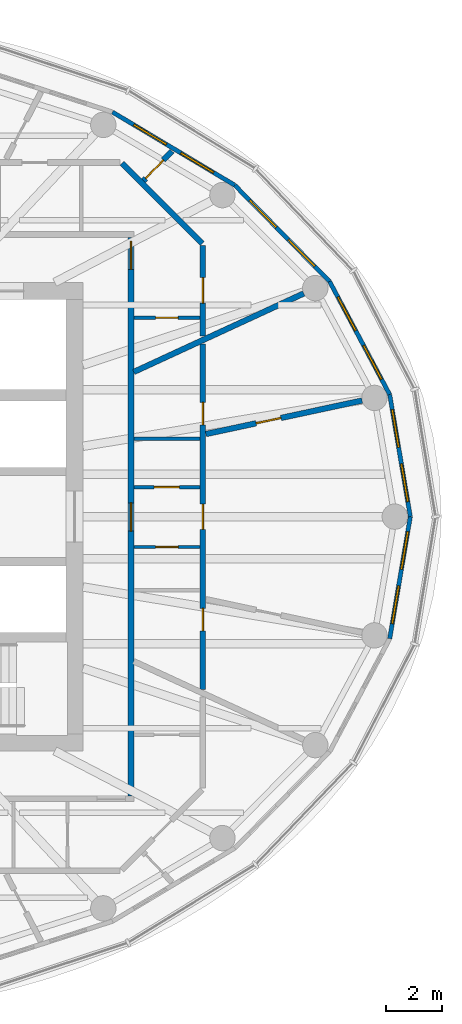
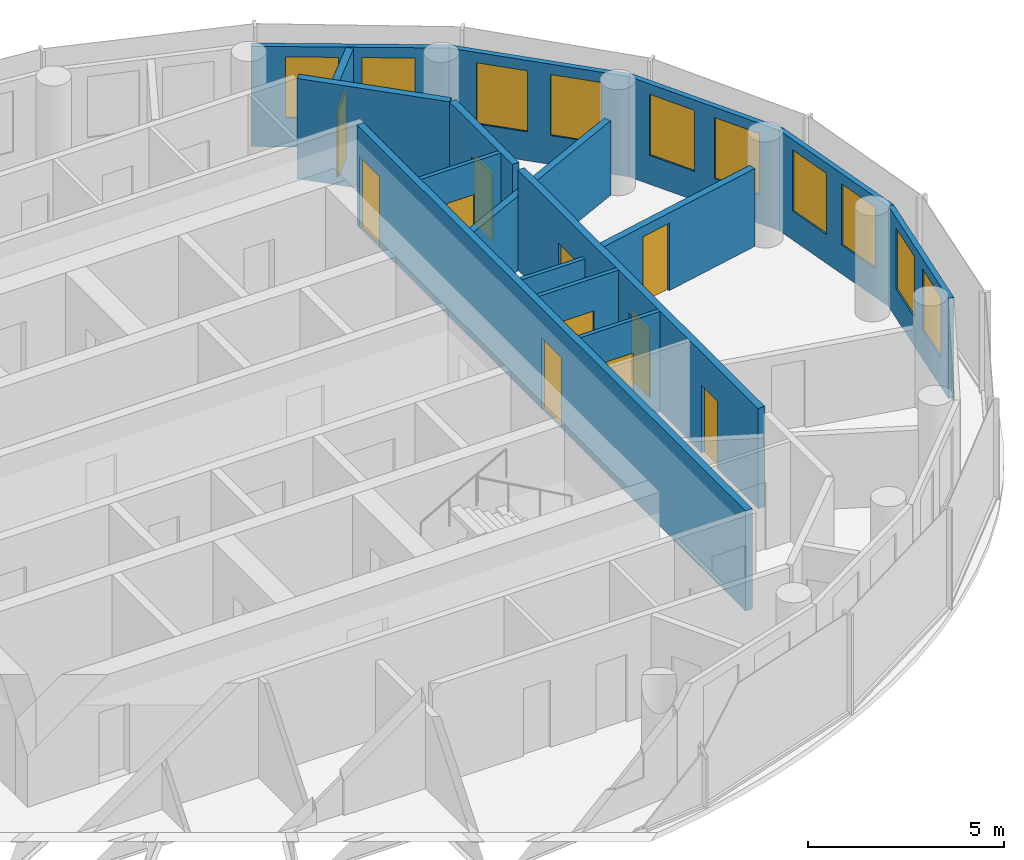
# One storey, part 9 of 11: 16 walls, 11 doors, 10 windows, 21 openings.
"""IFC4 building model written with IfcOpenShell, lengths in metres."""

from ifc_helpers import new_model, si_unit, direction, frame, frame_2d, origin, place, context, subcontext, project, spatial, rectangle, extrude, material, layer, layer_set, type_object, element, fill, save


model = new_model("IFC4")

# Units and contexts
model_context = context("Model", 3, precision=1e-05, world=origin(), true_north=direction((0.0, 1.0)))
body_context = subcontext(model_context, "Body", "Model", "MODEL_VIEW")
ifc_project = project(units=[si_unit("LENGTHUNIT", "METRE"), si_unit("AREAUNIT", "SQUARE_METRE"), si_unit("VOLUMEUNIT", "CUBIC_METRE"), si_unit("PLANEANGLEUNIT", "RADIAN"), si_unit("MASSUNIT", "GRAM", prefix="KILO")], contexts=[model_context])

# Site, building, storey
site_placement = place(None, origin())
site = spatial("IfcSite", under=ifc_project, at=site_placement, CompositionType="ELEMENT")
building_placement = place(site_placement, origin())
building = spatial("IfcBuilding", under=site, at=building_placement, Name="Hankou Lantern Tower", CompositionType="ELEMENT")
storey_placement = place(building_placement, frame((0.0, 0.0, 225.89990234375)))
storey = spatial("IfcBuildingStorey", under=building, at=storey_placement, Name="L61", CompositionType="ELEMENT", Elevation=225.89990234375)

# Wall, openings, windows
ifc_material_1 = material(Name="Aluminium spandrel panel on steel studs", Category="steel")
ifc_layer_1 = layer(ifc_material_1, 0.14990234375)
ifc_layer_set_1 = layer_set([ifc_layer_1], Name="Aluminium spandrel panel on steel studs")
wall_type_1 = type_object("IfcWallType", Name="EW1 INNER SKIN WALL 150", PredefinedType="ELEMENTEDWALL", material=ifc_layer_set_1)
wall_1_placement = place(storey_placement, frame((20.89990234375, 0.0, 0.0), z_axis=(0.0, 0.0, 1.0), x_axis=(-0.166538513568, 0.986034950445, 0.0)))
wall_1 = element("IfcWall", 1, at=wall_1_placement, inside=storey, type_object=wall_type_1, Name="Inner skin R01-R02 L61", PredefinedType="ELEMENTEDWALL", context=body_context, shape_type="SweptSolid", body=[
    extrude(rectangle(XDim=4.384765625, YDim=0.14990234375, at=frame_2d((2.1923828125, 0.0))), origin(), (0.0, 0.0, 1.0), 3.1201171875),
])
opening_1_placement = place(wall_1_placement, frame((0.54248046875, 0.0, 0.89990234375)))
opening_1 = element("IfcOpeningElement", 2, at=opening_1_placement, cuts=wall_1, Name="Opening W4", PredefinedType="OPENING", context=body_context, shape_type="SweptSolid", body=[
    extrude(rectangle(XDim=1.35009765625, YDim=1.89990234375, at=frame_2d((0.675048828125, 0.949951171875))), frame((0.0, 0.0849609375, 0.0), z_axis=(0.0, -1.0, 0.0), x_axis=(1.0, 0.0, 0.0)), (0.0, 0.0, 1.0), 0.169921875),
])
opening_2_placement = place(wall_1_placement, frame((2.492431640625, 0.0, 0.89990234375)))
opening_2 = element("IfcOpeningElement", 3, at=opening_2_placement, cuts=wall_1, Name="Opening W4", PredefinedType="OPENING", context=body_context, shape_type="SweptSolid", body=[
    extrude(rectangle(XDim=1.35009765625, YDim=1.89990234375, at=frame_2d((0.675048828125, 0.949951171875))), frame((0.0, 0.0849609375, 0.0), z_axis=(0.0, -1.0, 0.0), x_axis=(1.0, 0.0, 0.0)), (0.0, 0.0, 1.0), 0.169921875),
])
ifc_material_2 = material(Name="Aluminium framed double glazed window", Category="aluminium")
window_type = type_object("IfcWindowType", Name="W4 SUITE WINDOW 1350X1900", PartitioningType="DOUBLE_PANEL_VERTICAL", PredefinedType="WINDOW", material=ifc_material_2)
window_1_placement = place(opening_1_placement, origin())
window_1 = element("IfcWindow", 4, at=window_1_placement, inside=storey, type_object=window_type, Name="Window R01.1 L61", OverallHeight=1.89990234375, OverallWidth=1.35009765625, PartitioningType="SINGLE_PANEL", PredefinedType="WINDOW", context=body_context, shape_type="SweptSolid", body=[
    extrude(rectangle(XDim=1.35009765625, YDim=1.89990234375, at=frame_2d((0.675048828125, 0.949951171875))), frame((0.0, 0.030029296875, 0.0), z_axis=(0.0, -1.0, 0.0), x_axis=(1.0, 0.0, 0.0)), (0.0, 0.0, 1.0), 0.06005859375),
])
fill(opening_1, window_1)
window_2_placement = place(opening_2_placement, origin())
window_2 = element("IfcWindow", 5, at=window_2_placement, inside=storey, type_object=window_type, Name="Window R01.2 L61", OverallHeight=1.89990234375, OverallWidth=1.35009765625, PartitioningType="SINGLE_PANEL", PredefinedType="WINDOW", context=body_context, shape_type="SweptSolid", body=[
    extrude(rectangle(XDim=1.35009765625, YDim=1.89990234375, at=frame_2d((0.675048828125, 0.949951171875))), frame((0.0, 0.030029296875, 0.0), z_axis=(0.0, -1.0, 0.0), x_axis=(1.0, 0.0, 0.0)), (0.0, 0.0, 1.0), 0.06005859375),
])
fill(opening_2, window_2)

wall_2_placement = place(storey_placement, frame((20.169677734375, 4.323486328125, 0.0), z_axis=(0.0, 0.0, 1.0), x_axis=(-0.469256152955, 0.883062094597, 0.0)))
wall_2 = element("IfcWall", 6, at=wall_2_placement, inside=storey, type_object=wall_type_1, Name="Inner skin R02-R03 L61", PredefinedType="ELEMENTEDWALL", context=body_context, shape_type="SweptSolid", body=[
    extrude(rectangle(XDim=4.539306640625, YDim=0.14990234375, at=frame_2d((2.26953125, 0.0))), origin(), (0.0, 0.0, 1.0), 3.1201171875),
])
opening_3_placement = place(wall_2_placement, frame((0.61962890625, 0.0, 0.89990234375)))
opening_3 = element("IfcOpeningElement", 7, at=opening_3_placement, cuts=wall_2, Name="Opening W4", PredefinedType="OPENING", context=body_context, shape_type="SweptSolid", body=[
    extrude(rectangle(XDim=1.35009765625, YDim=1.89990234375, at=frame_2d((0.675048828125, 0.949951171875))), frame((0.0, 0.0849609375, 0.0), z_axis=(0.0, -1.0, 0.0), x_axis=(1.0, 0.0, 0.0)), (0.0, 0.0, 1.0), 0.169921875),
])
opening_4_placement = place(wall_2_placement, frame((2.569580078125, 0.0, 0.89990234375)))
opening_4 = element("IfcOpeningElement", 8, at=opening_4_placement, cuts=wall_2, Name="Opening W4", PredefinedType="OPENING", context=body_context, shape_type="SweptSolid", body=[
    extrude(rectangle(XDim=1.35009765625, YDim=1.89990234375, at=frame_2d((0.675048828125, 0.949951171875))), frame((0.0, 0.0849609375, 0.0), z_axis=(0.0, -1.0, 0.0), x_axis=(1.0, 0.0, 0.0)), (0.0, 0.0, 1.0), 0.169921875),
])
window_3_placement = place(opening_3_placement, origin())
window_3 = element("IfcWindow", 9, at=window_3_placement, inside=storey, type_object=window_type, Name="Window R02.1 L61", OverallHeight=1.89990234375, OverallWidth=1.35009765625, PartitioningType="SINGLE_PANEL", PredefinedType="WINDOW", context=body_context, shape_type="SweptSolid", body=[
    extrude(rectangle(XDim=1.35009765625, YDim=1.89990234375, at=frame_2d((0.675048828125, 0.949951171875))), frame((0.0, 0.030029296875, 0.0), z_axis=(0.0, -1.0, 0.0), x_axis=(1.0, 0.0, 0.0)), (0.0, 0.0, 1.0), 0.06005859375),
])
fill(opening_3, window_3)
window_4_placement = place(opening_4_placement, origin())
window_4 = element("IfcWindow", 10, at=window_4_placement, inside=storey, type_object=window_type, Name="Window R02.2 L61", OverallHeight=1.89990234375, OverallWidth=1.35009765625, PartitioningType="SINGLE_PANEL", PredefinedType="WINDOW", context=body_context, shape_type="SweptSolid", body=[
    extrude(rectangle(XDim=1.35009765625, YDim=1.89990234375, at=frame_2d((0.675048828125, 0.949951171875))), frame((0.0, 0.030029296875, 0.0), z_axis=(0.0, -1.0, 0.0), x_axis=(1.0, 0.0, 0.0)), (0.0, 0.0, 1.0), 0.06005859375),
])
fill(opening_4, window_4)

wall_3_placement = place(storey_placement, frame((18.03955078125, 8.33203125, 0.0), z_axis=(0.0, 0.0, 1.0), x_axis=(-0.701527379618, 0.712642501993, 0.0)))
wall_3 = element("IfcWall", 11, at=wall_3_placement, inside=storey, type_object=wall_type_1, Name="Inner skin R03-R04 L61", PredefinedType="ELEMENTEDWALL", context=body_context, shape_type="SweptSolid", body=[
    extrude(rectangle(XDim=4.788330078125, YDim=0.14990234375, at=frame_2d((2.39404296875, 0.0))), origin(), (0.0, 0.0, 1.0), 3.1201171875),
])
opening_5_placement = place(wall_3_placement, frame((0.744140625, 0.0, 0.89990234375)))
opening_5 = element("IfcOpeningElement", 12, at=opening_5_placement, cuts=wall_3, Name="Opening W4", PredefinedType="OPENING", context=body_context, shape_type="SweptSolid", body=[
    extrude(rectangle(XDim=1.35009765625, YDim=1.89990234375, at=frame_2d((0.675048828125, 0.949951171875))), frame((0.0, 0.0849609375, 0.0), z_axis=(0.0, -1.0, 0.0), x_axis=(1.0, 0.0, 0.0)), (0.0, 0.0, 1.0), 0.169921875),
])
opening_6_placement = place(wall_3_placement, frame((2.694091796875, 0.0, 0.89990234375)))
opening_6 = element("IfcOpeningElement", 13, at=opening_6_placement, cuts=wall_3, Name="Opening W4", PredefinedType="OPENING", context=body_context, shape_type="SweptSolid", body=[
    extrude(rectangle(XDim=1.35009765625, YDim=1.89990234375, at=frame_2d((0.675048828125, 0.949951171875))), frame((0.0, 0.0849609375, 0.0), z_axis=(0.0, -1.0, 0.0), x_axis=(1.0, 0.0, 0.0)), (0.0, 0.0, 1.0), 0.169921875),
])
window_5_placement = place(opening_5_placement, origin())
window_5 = element("IfcWindow", 14, at=window_5_placement, inside=storey, type_object=window_type, Name="Window R03.1 L61", OverallHeight=1.89990234375, OverallWidth=1.35009765625, PartitioningType="SINGLE_PANEL", PredefinedType="WINDOW", context=body_context, shape_type="SweptSolid", body=[
    extrude(rectangle(XDim=1.35009765625, YDim=1.89990234375, at=frame_2d((0.675048828125, 0.949951171875))), frame((0.0, 0.030029296875, 0.0), z_axis=(0.0, -1.0, 0.0), x_axis=(1.0, 0.0, 0.0)), (0.0, 0.0, 1.0), 0.06005859375),
])
fill(opening_5, window_5)
window_6_placement = place(opening_6_placement, origin())
window_6 = element("IfcWindow", 15, at=window_6_placement, inside=storey, type_object=window_type, Name="Window R03.2 L61", OverallHeight=1.89990234375, OverallWidth=1.35009765625, PartitioningType="SINGLE_PANEL", PredefinedType="WINDOW", context=body_context, shape_type="SweptSolid", body=[
    extrude(rectangle(XDim=1.35009765625, YDim=1.89990234375, at=frame_2d((0.675048828125, 0.949951171875))), frame((0.0, 0.030029296875, 0.0), z_axis=(0.0, -1.0, 0.0), x_axis=(1.0, 0.0, 0.0)), (0.0, 0.0, 1.0), 0.06005859375),
])
fill(opening_6, window_6)

wall_4_placement = place(storey_placement, frame((14.680419921875, 11.744384765625, 0.0), z_axis=(0.0, 0.0, 1.0), x_axis=(-0.85822150553, 0.513279502265, 0.0)))
wall_4 = element("IfcWall", 16, at=wall_4_placement, inside=storey, type_object=wall_type_1, Name="Inner skin R04-R05 L61", PredefinedType="ELEMENTEDWALL", context=body_context, shape_type="SweptSolid", body=[
    extrude(rectangle(XDim=5.050048828125, YDim=0.14990234375, at=frame_2d((2.52490234375, 0.0))), origin(), (0.0, 0.0, 1.0), 3.1201171875),
])
opening_7_placement = place(wall_4_placement, frame((0.875, 0.0, 0.89990234375)))
opening_7 = element("IfcOpeningElement", 17, at=opening_7_placement, cuts=wall_4, Name="Opening W4", PredefinedType="OPENING", context=body_context, shape_type="SweptSolid", body=[
    extrude(rectangle(XDim=1.35009765625, YDim=1.89990234375, at=frame_2d((0.675048828125, 0.949951171875))), frame((0.0, 0.0849609375, 0.0), z_axis=(0.0, -1.0, 0.0), x_axis=(1.0, 0.0, 0.0)), (0.0, 0.0, 1.0), 0.169921875),
])
opening_8_placement = place(wall_4_placement, frame((2.824951171875, 0.0, 0.89990234375)))
opening_8 = element("IfcOpeningElement", 18, at=opening_8_placement, cuts=wall_4, Name="Opening W4", PredefinedType="OPENING", context=body_context, shape_type="SweptSolid", body=[
    extrude(rectangle(XDim=1.35009765625, YDim=1.89990234375, at=frame_2d((0.675048828125, 0.949951171875))), frame((0.0, 0.0849609375, 0.0), z_axis=(0.0, -1.0, 0.0), x_axis=(1.0, 0.0, 0.0)), (0.0, 0.0, 1.0), 0.169921875),
])
window_7_placement = place(opening_7_placement, origin())
window_7 = element("IfcWindow", 19, at=window_7_placement, inside=storey, type_object=window_type, Name="Window R04.1 L61", OverallHeight=1.89990234375, OverallWidth=1.35009765625, PartitioningType="SINGLE_PANEL", PredefinedType="WINDOW", context=body_context, shape_type="SweptSolid", body=[
    extrude(rectangle(XDim=1.35009765625, YDim=1.89990234375, at=frame_2d((0.675048828125, 0.949951171875))), frame((0.0, 0.030029296875, 0.0), z_axis=(0.0, -1.0, 0.0), x_axis=(1.0, 0.0, 0.0)), (0.0, 0.0, 1.0), 0.06005859375),
])
fill(opening_7, window_7)
window_8_placement = place(opening_8_placement, origin())
window_8 = element("IfcWindow", 20, at=window_8_placement, inside=storey, type_object=window_type, Name="Window R04.2 L61", OverallHeight=1.89990234375, OverallWidth=1.35009765625, PartitioningType="SINGLE_PANEL", PredefinedType="WINDOW", context=body_context, shape_type="SweptSolid", body=[
    extrude(rectangle(XDim=1.35009765625, YDim=1.89990234375, at=frame_2d((0.675048828125, 0.949951171875))), frame((0.0, 0.030029296875, 0.0), z_axis=(0.0, -1.0, 0.0), x_axis=(1.0, 0.0, 0.0)), (0.0, 0.0, 1.0), 0.06005859375),
])
fill(opening_8, window_8)

wall_5_placement = place(storey_placement, frame((20.169677734375, -4.323486328125, 0.0), z_axis=(0.0, 0.0, 1.0), x_axis=(0.166538513568, 0.986034950445, 0.0)))
wall_5 = element("IfcWall", 21, at=wall_5_placement, inside=storey, type_object=wall_type_1, Name="Inner skin R24-R01 L61", PredefinedType="ELEMENTEDWALL", context=body_context, shape_type="SweptSolid", body=[
    extrude(rectangle(XDim=4.384765625, YDim=0.14990234375, at=frame_2d((2.1923828125, 0.0))), origin(), (0.0, 0.0, 1.0), 3.1201171875),
])
opening_9_placement = place(wall_5_placement, frame((0.54248046875, 0.0, 0.89990234375)))
opening_9 = element("IfcOpeningElement", 22, at=opening_9_placement, cuts=wall_5, Name="Opening W4", PredefinedType="OPENING", context=body_context, shape_type="SweptSolid", body=[
    extrude(rectangle(XDim=1.35009765625, YDim=1.89990234375, at=frame_2d((0.675048828125, 0.949951171875))), frame((0.0, 0.0849609375, 0.0), z_axis=(0.0, -1.0, 0.0), x_axis=(1.0, 0.0, 0.0)), (0.0, 0.0, 1.0), 0.169921875),
])
opening_10_placement = place(wall_5_placement, frame((2.492431640625, 0.0, 0.89990234375)))
opening_10 = element("IfcOpeningElement", 23, at=opening_10_placement, cuts=wall_5, Name="Opening W4", PredefinedType="OPENING", context=body_context, shape_type="SweptSolid", body=[
    extrude(rectangle(XDim=1.35009765625, YDim=1.89990234375, at=frame_2d((0.675048828125, 0.949951171875))), frame((0.0, 0.0849609375, 0.0), z_axis=(0.0, -1.0, 0.0), x_axis=(1.0, 0.0, 0.0)), (0.0, 0.0, 1.0), 0.169921875),
])
window_9_placement = place(opening_9_placement, origin())
window_9 = element("IfcWindow", 24, at=window_9_placement, inside=storey, type_object=window_type, Name="Window R24.1 L61", OverallHeight=1.89990234375, OverallWidth=1.35009765625, PartitioningType="SINGLE_PANEL", PredefinedType="WINDOW", context=body_context, shape_type="SweptSolid", body=[
    extrude(rectangle(XDim=1.35009765625, YDim=1.89990234375, at=frame_2d((0.675048828125, 0.949951171875))), frame((0.0, 0.030029296875, 0.0), z_axis=(0.0, -1.0, 0.0), x_axis=(1.0, 0.0, 0.0)), (0.0, 0.0, 1.0), 0.06005859375),
])
fill(opening_9, window_9)
window_10_placement = place(opening_10_placement, origin())
window_10 = element("IfcWindow", 25, at=window_10_placement, inside=storey, type_object=window_type, Name="Window R24.2 L61", OverallHeight=1.89990234375, OverallWidth=1.35009765625, PartitioningType="SINGLE_PANEL", PredefinedType="WINDOW", context=body_context, shape_type="SweptSolid", body=[
    extrude(rectangle(XDim=1.35009765625, YDim=1.89990234375, at=frame_2d((0.675048828125, 0.949951171875))), frame((0.0, 0.030029296875, 0.0), z_axis=(0.0, -1.0, 0.0), x_axis=(1.0, 0.0, 0.0)), (0.0, 0.0, 1.0), 0.06005859375),
])
fill(opening_10, window_10)

# Wall
ifc_material_3 = material(Name="Masonry lightweight concrete block", Category="masonry")
ifc_layer_2 = layer(ifc_material_3, 0.199951171875)
ifc_layer_set_2 = layer_set([ifc_layer_2], Name="Masonry lightweight concrete block")
wall_type_2 = type_object("IfcWallType", Name="IW1 GUEST ROOM PARTY WALL 200", PredefinedType="PARTITIONING", material=ifc_layer_set_2)
wall_6_placement = place(storey_placement, frame((11.10009765625, 5.126953125, 0.0), z_axis=(0.0, 0.0, 1.0), x_axis=(0.907840886552, 0.419314827672, 0.0)))
element("IfcWall", 26, at=wall_6_placement, inside=storey, type_object=wall_type_2, Name="Party wall R03", PredefinedType="PARTITIONING", context=body_context, shape_type="SweptSolid", body=[
    extrude(rectangle(XDim=6.63525390625, YDim=0.199951171875, at=frame_2d((3.317626953125, 0.0))), origin(), (0.0, 0.0, 1.0), 2.320068359375),
])

# Wall, openings, doors
ifc_material_4 = material(Name="Masonry lightweight concrete block", Category="masonry")
ifc_layer_3 = layer(ifc_material_4, 0.199951171875)
ifc_layer_set_3 = layer_set([ifc_layer_3], Name="Masonry lightweight concrete block")
wall_type_3 = type_object("IfcWallType", Name="IW2 CORRIDOR WALL 200", PredefinedType="PARTITIONING", material=ifc_layer_set_3)
wall_7_placement = place(storey_placement, frame((11.0, -9.89990234375, 0.0), z_axis=(0.0, 0.0, 1.0), x_axis=(0.0, 1.0, 0.0)))
wall_7 = element("IfcWall", 27, at=wall_7_placement, inside=storey, type_object=wall_type_3, Name="Corridor wall east", PredefinedType="PARTITIONING", context=body_context, shape_type="SweptSolid", body=[
    extrude(rectangle(XDim=19.7998046875, YDim=0.199951171875, at=frame_2d((9.89990234375, 0.0))), origin(), (0.0, 0.0, 1.0), 3.1201171875),
])
opening_11_placement = place(wall_7_placement, frame((18.658203125, 0.0, 0.0)))
opening_11 = element("IfcOpeningElement", 28, at=opening_11_placement, cuts=wall_7, Name="Opening D2", PredefinedType="OPENING", context=body_context, shape_type="SweptSolid", body=[
    extrude(rectangle(XDim=1.0, YDim=2.199951171875, at=frame_2d((0.5, 1.10009765625))), frame((0.0, 0.10986328125, 0.0), z_axis=(0.0, -1.0, 0.0), x_axis=(1.0, 0.0, 0.0)), (0.0, 0.0, 1.0), 0.219970703125),
])
opening_12_placement = place(wall_7_placement, frame((9.384521484375, 0.0, 0.0)))
opening_12 = element("IfcOpeningElement", 29, at=opening_12_placement, cuts=wall_7, Name="Opening D2", PredefinedType="OPENING", context=body_context, shape_type="SweptSolid", body=[
    extrude(rectangle(XDim=1.0, YDim=2.199951171875, at=frame_2d((0.5, 1.10009765625))), frame((0.0, 0.10986328125, 0.0), z_axis=(0.0, -1.0, 0.0), x_axis=(1.0, 0.0, 0.0)), (0.0, 0.0, 1.0), 0.219970703125),
])
ifc_material_5 = material(Name="Steel door leaf", Category="steel")
door_type_1 = type_object("IfcDoorType", Name="D2 SUITE DOOR 1000X2200", OperationType="SINGLE_SWING_LEFT", PredefinedType="DOOR", material=ifc_material_5)
door_1_placement = place(opening_11_placement, origin())
door_1 = element("IfcDoor", 30, at=door_1_placement, inside=storey, type_object=door_type_1, Name="Suite door 6101", OperationType="SINGLE_SWING_RIGHT", OverallHeight=2.199951171875, OverallWidth=1.0, PredefinedType="DOOR", context=body_context, shape_type="SweptSolid", body=[
    extrude(rectangle(XDim=1.0, YDim=2.199951171875, at=frame_2d((0.5, 1.10009765625))), frame((0.0, 0.02490234375, 0.0), z_axis=(0.0, -1.0, 0.0), x_axis=(1.0, 0.0, 0.0)), (0.0, 0.0, 1.0), 0.050048828125),
])
fill(opening_11, door_1)
door_2_placement = place(opening_12_placement, origin())
door_2 = element("IfcDoor", 31, at=door_2_placement, inside=storey, type_object=door_type_1, Name="Suite door 6106", OperationType="SINGLE_SWING_LEFT", OverallHeight=2.199951171875, OverallWidth=1.0, PredefinedType="DOOR", context=body_context, shape_type="SweptSolid", body=[
    extrude(rectangle(XDim=1.0, YDim=2.199951171875, at=frame_2d((0.5, 1.10009765625))), frame((0.0, 0.02490234375, 0.0), z_axis=(0.0, -1.0, 0.0), x_axis=(1.0, 0.0, 0.0)), (0.0, 0.0, 1.0), 0.050048828125),
])
fill(opening_12, door_2)

# Wall, opening, door
ifc_material_6 = material(Name="Masonry lightweight concrete block", Category="masonry")
ifc_layer_4 = layer(ifc_material_6, 0.1201171875)
ifc_layer_set_4 = layer_set([ifc_layer_4], Name="Masonry lightweight concrete block")
wall_type_4 = type_object("IfcWallType", Name="IW3 BATHROOM WALL 120", PredefinedType="PARTITIONING", material=ifc_layer_set_4)
wall_8_placement = place(storey_placement, frame((11.10009765625, 7.048095703125, 0.0), z_axis=(0.0, 0.0, 1.0), x_axis=(1.0, 0.0, 0.0)))
wall_8 = element("IfcWall", 32, at=wall_8_placement, inside=storey, type_object=wall_type_4, Name="Box wall 6101 1", PredefinedType="PARTITIONING", context=body_context, shape_type="SweptSolid", body=[
    extrude(rectangle(XDim=2.349853515625, YDim=0.1201171875, at=frame_2d((1.1748046875, 0.0))), origin(), (0.0, 0.0, 1.0), 3.1201171875),
])
opening_13_placement = place(wall_8_placement, frame((0.77001953125, 0.0, 0.0)))
opening_13 = element("IfcOpeningElement", 33, at=opening_13_placement, cuts=wall_8, Name="Opening D3", PredefinedType="OPENING", context=body_context, shape_type="SweptSolid", body=[
    extrude(rectangle(XDim=0.800048828125, YDim=2.10009765625, at=frame_2d((0.39990234375, 1.050048828125))), frame((0.0, 0.070068359375, 0.0), z_axis=(0.0, -1.0, 0.0), x_axis=(1.0, 0.0, 0.0)), (0.0, 0.0, 1.0), 0.14013671875),
])
ifc_material_7 = material(Name="Timber door leaf", Category="wood")
door_type_2 = type_object("IfcDoorType", Name="D3 BATHROOM DOOR 800X2100", OperationType="SINGLE_SWING_LEFT", PredefinedType="DOOR", material=ifc_material_7)
door_3_placement = place(opening_13_placement, origin())
door_3 = element("IfcDoor", 34, at=door_3_placement, inside=storey, type_object=door_type_2, Name="Corner suite 6101 guest WC door", OperationType="SINGLE_SWING_LEFT", OverallHeight=2.10009765625, OverallWidth=0.800048828125, PredefinedType="DOOR", context=body_context, shape_type="SweptSolid", body=[
    extrude(rectangle(XDim=0.800048828125, YDim=2.10009765625, at=frame_2d((0.39990234375, 1.050048828125))), frame((0.0, 0.02490234375, 0.0), z_axis=(0.0, -1.0, 0.0), x_axis=(1.0, 0.0, 0.0)), (0.0, 0.0, 1.0), 0.050048828125),
])
fill(opening_13, door_3)

wall_9_placement = place(storey_placement, frame((11.10009765625, -1.075439453125, 0.0), z_axis=(0.0, 0.0, 1.0), x_axis=(1.0, 0.0, 0.0)))
wall_9 = element("IfcWall", 35, at=wall_9_placement, inside=storey, type_object=wall_type_4, Name="Box wall 6106 2", PredefinedType="PARTITIONING", context=body_context, shape_type="SweptSolid", body=[
    extrude(rectangle(XDim=2.349853515625, YDim=0.1201171875, at=frame_2d((1.1748046875, 0.0))), origin(), (0.0, 0.0, 1.0), 3.1201171875),
])
opening_14_placement = place(wall_9_placement, frame((0.77001953125, 0.0, 0.0)))
opening_14 = element("IfcOpeningElement", 36, at=opening_14_placement, cuts=wall_9, Name="Opening D3", PredefinedType="OPENING", context=body_context, shape_type="SweptSolid", body=[
    extrude(rectangle(XDim=0.800048828125, YDim=2.10009765625, at=frame_2d((0.39990234375, 1.050048828125))), frame((0.0, 0.070068359375, 0.0), z_axis=(0.0, -1.0, 0.0), x_axis=(1.0, 0.0, 0.0)), (0.0, 0.0, 1.0), 0.14013671875),
])
door_4_placement = place(opening_14_placement, origin())
door_4 = element("IfcDoor", 37, at=door_4_placement, inside=storey, type_object=door_type_2, Name="Family suite 6106 guest WC door", OperationType="SINGLE_SWING_LEFT", OverallHeight=2.10009765625, OverallWidth=0.800048828125, PredefinedType="DOOR", context=body_context, shape_type="SweptSolid", body=[
    extrude(rectangle(XDim=0.800048828125, YDim=2.10009765625, at=frame_2d((0.39990234375, 1.050048828125))), frame((0.0, 0.02490234375, 0.0), z_axis=(0.0, -1.0, 0.0), x_axis=(1.0, 0.0, 0.0)), (0.0, 0.0, 1.0), 0.050048828125),
])
fill(opening_14, door_4)

wall_10_placement = place(storey_placement, frame((11.10009765625, 1.04443359375, 0.0), z_axis=(0.0, 0.0, 1.0), x_axis=(1.0, 0.0, 0.0)))
wall_10 = element("IfcWall", 38, at=wall_10_placement, inside=storey, type_object=wall_type_4, Name="Box wall 6106 3", PredefinedType="PARTITIONING", context=body_context, shape_type="SweptSolid", body=[
    extrude(rectangle(XDim=2.349853515625, YDim=0.1201171875, at=frame_2d((1.1748046875, 0.0))), origin(), (0.0, 0.0, 1.0), 3.1201171875),
])
opening_15_placement = place(wall_10_placement, frame((0.719970703125, 0.0, 0.0)))
opening_15 = element("IfcOpeningElement", 39, at=opening_15_placement, cuts=wall_10, Name="Opening D27", PredefinedType="OPENING", context=body_context, shape_type="SweptSolid", body=[
    extrude(rectangle(XDim=0.89990234375, YDim=2.10009765625, at=frame_2d((0.449951171875, 1.050048828125))), frame((0.0, 0.070068359375, 0.0), z_axis=(0.0, -1.0, 0.0), x_axis=(1.0, 0.0, 0.0)), (0.0, 0.0, 1.0), 0.14013671875),
])
ifc_material_8 = material(Name="Timber door leaf", Category="wood")
door_type_3 = type_object("IfcDoorType", Name="D27 INTERNAL DOOR 900X2100", OperationType="SINGLE_SWING_LEFT", PredefinedType="DOOR", material=ifc_material_8)
door_5_placement = place(opening_15_placement, origin())
door_5 = element("IfcDoor", 40, at=door_5_placement, inside=storey, type_object=door_type_3, Name="Family suite 6106 walk-in wardrobe door", OperationType="SINGLE_SWING_LEFT", OverallHeight=2.10009765625, OverallWidth=0.89990234375, PredefinedType="DOOR", context=body_context, shape_type="SweptSolid", body=[
    extrude(rectangle(XDim=0.89990234375, YDim=2.10009765625, at=frame_2d((0.449951171875, 1.050048828125))), frame((0.0, 0.02490234375, 0.0), z_axis=(0.0, -1.0, 0.0), x_axis=(1.0, 0.0, 0.0)), (0.0, 0.0, 1.0), 0.050048828125),
])
fill(opening_15, door_5)

# Wall
wall_11_placement = place(storey_placement, frame((11.10009765625, 2.764404296875, 0.0), z_axis=(0.0, 0.0, 1.0), x_axis=(1.0, 0.0, 0.0)))
element("IfcWall", 41, at=wall_11_placement, inside=storey, type_object=wall_type_4, Name="Box wall 6106 4", PredefinedType="PARTITIONING", context=body_context, shape_type="SweptSolid", body=[
    extrude(rectangle(XDim=2.349853515625, YDim=0.1201171875, at=frame_2d((1.1748046875, 0.0))), origin(), (0.0, 0.0, 1.0), 2.420166015625),
])

# Wall, opening, door
ifc_material_9 = material(Name="Masonry lightweight concrete block", Category="masonry")
ifc_layer_5 = layer(ifc_material_9, 0.199951171875)
ifc_layer_set_5 = layer_set([ifc_layer_5], Name="Masonry lightweight concrete block")
wall_type_5 = type_object("IfcWallType", Name="IW6 SUITE PARTITION 200", PredefinedType="PARTITIONING", material=ifc_layer_set_5)
wall_12_placement = place(storey_placement, frame((13.550048828125, 6.399658203125, 0.0), z_axis=(0.0, 0.0, 1.0), x_axis=(0.0, 1.0, 0.0)))
wall_12 = element("IfcWall", 42, at=wall_12_placement, inside=storey, type_object=wall_type_5, Name="Suite foyer wall 6101", PredefinedType="PARTITIONING", context=body_context, shape_type="SweptSolid", body=[
    extrude(rectangle(XDim=3.208984375, YDim=0.199951171875, at=frame_2d((1.6044921875, 0.0))), origin(), (0.0, 0.0, 1.0), 3.1201171875),
])
opening_16_placement = place(wall_12_placement, frame((1.169921875, 0.0, 0.0)))
opening_16 = element("IfcOpeningElement", 43, at=opening_16_placement, cuts=wall_12, Name="Opening D27", PredefinedType="OPENING", context=body_context, shape_type="SweptSolid", body=[
    extrude(rectangle(XDim=0.89990234375, YDim=2.10009765625, at=frame_2d((0.449951171875, 1.050048828125))), frame((0.0, 0.10986328125, 0.0), z_axis=(0.0, -1.0, 0.0), x_axis=(1.0, 0.0, 0.0)), (0.0, 0.0, 1.0), 0.219970703125),
])
door_6_placement = place(opening_16_placement, origin())
door_6 = element("IfcDoor", 44, at=door_6_placement, inside=storey, type_object=door_type_3, Name="Corner suite 6101 living room door", OperationType="SINGLE_SWING_LEFT", OverallHeight=2.10009765625, OverallWidth=0.89990234375, PredefinedType="DOOR", context=body_context, shape_type="SweptSolid", body=[
    extrude(rectangle(XDim=0.89990234375, YDim=2.10009765625, at=frame_2d((0.449951171875, 1.050048828125))), frame((0.0, 0.02490234375, 0.0), z_axis=(0.0, -1.0, 0.0), x_axis=(1.0, 0.0, 0.0)), (0.0, 0.0, 1.0), 0.050048828125),
])
fill(opening_16, door_6)

# Wall
wall_13_placement = place(storey_placement, frame((13.520751953125, 9.67919921875, 0.0), z_axis=(0.0, 0.0, 1.0), x_axis=(-0.707106781187, 0.707106781187, 0.0)))
element("IfcWall", 45, at=wall_13_placement, inside=storey, type_object=wall_type_5, Name="Suite foyer wall 6101", PredefinedType="PARTITIONING", context=body_context, shape_type="SweptSolid", body=[
    extrude(rectangle(XDim=4.0185546875, YDim=0.199951171875, at=frame_2d((2.00927734375, 0.0))), origin(), (0.0, 0.0, 1.0), 3.1201171875),
])

# Wall, opening, door
wall_14_placement = place(storey_placement, frame((11.44091796875, 11.900390625, 0.0), z_axis=(0.0, 0.0, 1.0), x_axis=(0.692958717259, 0.720977264672, 0.0)))
wall_14 = element("IfcWall", 46, at=wall_14_placement, inside=storey, type_object=wall_type_5, Name="Suite partition R04-R05", PredefinedType="PARTITIONING", context=body_context, shape_type="SweptSolid", body=[
    extrude(rectangle(XDim=1.4638671875, YDim=0.199951171875, at=frame_2d((0.73193359375, 0.0))), origin(), (0.0, 0.0, 1.0), 3.1201171875),
])
opening_17_placement = place(wall_14_placement, frame((0.1201171875, 0.0, 0.0)))
opening_17 = element("IfcOpeningElement", 47, at=opening_17_placement, cuts=wall_14, Name="Opening D27", PredefinedType="OPENING", context=body_context, shape_type="SweptSolid", body=[
    extrude(rectangle(XDim=0.89990234375, YDim=2.10009765625, at=frame_2d((0.449951171875, 1.050048828125))), frame((0.0, 0.10986328125, 0.0), z_axis=(0.0, -1.0, 0.0), x_axis=(1.0, 0.0, 0.0)), (0.0, 0.0, 1.0), 0.219970703125),
])
door_7_placement = place(opening_17_placement, origin())
door_7 = element("IfcDoor", 48, at=door_7_placement, inside=storey, type_object=door_type_3, Name="Corner suite 6101 dining room door", OperationType="SINGLE_SWING_LEFT", OverallHeight=2.10009765625, OverallWidth=0.89990234375, PredefinedType="DOOR", context=body_context, shape_type="SweptSolid", body=[
    extrude(rectangle(XDim=0.89990234375, YDim=2.10009765625, at=frame_2d((0.449951171875, 1.050048828125))), frame((0.0, 0.02490234375, 0.0), z_axis=(0.0, -1.0, 0.0), x_axis=(1.0, 0.0, 0.0)), (0.0, 0.0, 1.0), 0.050048828125),
])
fill(opening_17, door_7)

# Wall, openings, doors
wall_15_placement = place(storey_placement, frame((13.550048828125, -6.122314453125, 0.0), z_axis=(0.0, 0.0, 1.0), x_axis=(0.0, 1.0, 0.0)))
wall_15 = element("IfcWall", 49, at=wall_15_placement, inside=storey, type_object=wall_type_5, Name="Suite foyer wall 6106", PredefinedType="PARTITIONING", context=body_context, shape_type="SweptSolid", body=[
    extrude(rectangle(XDim=12.24462890625, YDim=0.199951171875, at=frame_2d((6.122314453125, 0.0))), origin(), (0.0, 0.0, 1.0), 3.1201171875),
])
opening_18_placement = place(wall_15_placement, frame((2.070068359375, 0.0, 0.0)))
opening_18 = element("IfcOpeningElement", 50, at=opening_18_placement, cuts=wall_15, Name="Opening D3", PredefinedType="OPENING", context=body_context, shape_type="SweptSolid", body=[
    extrude(rectangle(XDim=0.800048828125, YDim=2.10009765625, at=frame_2d((0.39990234375, 1.050048828125))), frame((0.0, 0.10986328125, 0.0), z_axis=(0.0, -1.0, 0.0), x_axis=(1.0, 0.0, 0.0)), (0.0, 0.0, 1.0), 0.219970703125),
])
opening_19_placement = place(wall_15_placement, frame((9.3701171875, 0.0, 0.0)))
opening_19 = element("IfcOpeningElement", 51, at=opening_19_placement, cuts=wall_15, Name="Opening D3", PredefinedType="OPENING", context=body_context, shape_type="SweptSolid", body=[
    extrude(rectangle(XDim=0.800048828125, YDim=2.10009765625, at=frame_2d((0.39990234375, 1.050048828125))), frame((0.0, 0.10986328125, 0.0), z_axis=(0.0, -1.0, 0.0), x_axis=(1.0, 0.0, 0.0)), (0.0, 0.0, 1.0), 0.219970703125),
])
opening_20_placement = place(wall_15_placement, frame((5.669921875, 0.0, 0.0)))
opening_20 = element("IfcOpeningElement", 52, at=opening_20_placement, cuts=wall_15, Name="Opening D27", PredefinedType="OPENING", context=body_context, shape_type="SweptSolid", body=[
    extrude(rectangle(XDim=0.89990234375, YDim=2.10009765625, at=frame_2d((0.449951171875, 1.050048828125))), frame((0.0, 0.10986328125, 0.0), z_axis=(0.0, -1.0, 0.0), x_axis=(1.0, 0.0, 0.0)), (0.0, 0.0, 1.0), 0.219970703125),
])
door_8_placement = place(opening_20_placement, origin())
door_8 = element("IfcDoor", 53, at=door_8_placement, inside=storey, type_object=door_type_3, Name="Family suite 6106 living room door", OperationType="SINGLE_SWING_RIGHT", OverallHeight=2.10009765625, OverallWidth=0.89990234375, PredefinedType="DOOR", context=body_context, shape_type="SweptSolid", body=[
    extrude(rectangle(XDim=0.89990234375, YDim=2.10009765625, at=frame_2d((0.449951171875, 1.050048828125))), frame((0.0, 0.02490234375, 0.0), z_axis=(0.0, -1.0, 0.0), x_axis=(1.0, 0.0, 0.0)), (0.0, 0.0, 1.0), 0.050048828125),
])
fill(opening_20, door_8)
door_9_placement = place(opening_18_placement, origin())
door_9 = element("IfcDoor", 54, at=door_9_placement, inside=storey, type_object=door_type_2, Name="Family suite 6106 bathroom door", OperationType="SINGLE_SWING_RIGHT", OverallHeight=2.10009765625, OverallWidth=0.800048828125, PredefinedType="DOOR", context=body_context, shape_type="SweptSolid", body=[
    extrude(rectangle(XDim=0.800048828125, YDim=2.10009765625, at=frame_2d((0.39990234375, 1.050048828125))), frame((0.0, 0.02490234375, 0.0), z_axis=(0.0, -1.0, 0.0), x_axis=(1.0, 0.0, 0.0)), (0.0, 0.0, 1.0), 0.050048828125),
])
fill(opening_18, door_9)
door_10_placement = place(opening_19_placement, origin())
door_10 = element("IfcDoor", 55, at=door_10_placement, inside=storey, type_object=door_type_2, Name="Family suite 6106 second bathroom door", OperationType="SINGLE_SWING_LEFT", OverallHeight=2.10009765625, OverallWidth=0.800048828125, PredefinedType="DOOR", context=body_context, shape_type="SweptSolid", body=[
    extrude(rectangle(XDim=0.800048828125, YDim=2.10009765625, at=frame_2d((0.39990234375, 1.050048828125))), frame((0.0, 0.02490234375, 0.0), z_axis=(0.0, -1.0, 0.0), x_axis=(1.0, 0.0, 0.0)), (0.0, 0.0, 1.0), 0.050048828125),
])
fill(opening_19, door_10)

# Wall, opening, door
wall_16_placement = place(storey_placement, frame((13.65478515625, 2.927001953125, 0.0), z_axis=(0.0, 0.0, 1.0), x_axis=(0.977790419294, 0.209585056568, 0.0)))
wall_16 = element("IfcWall", 56, at=wall_16_placement, inside=storey, type_object=wall_type_5, Name="Suite partition R02", PredefinedType="PARTITIONING", context=body_context, shape_type="SweptSolid", body=[
    extrude(rectangle(XDim=5.66015625, YDim=0.199951171875, at=frame_2d((2.830078125, 0.0))), origin(), (0.0, 0.0, 1.0), 2.420166015625),
])
opening_21_placement = place(wall_16_placement, frame((1.820068359375, 0.0, 0.0)))
opening_21 = element("IfcOpeningElement", 57, at=opening_21_placement, cuts=wall_16, Name="Opening D27", PredefinedType="OPENING", context=body_context, shape_type="SweptSolid", body=[
    extrude(rectangle(XDim=0.89990234375, YDim=2.10009765625, at=frame_2d((0.449951171875, 1.050048828125))), frame((0.0, 0.10986328125, 0.0), z_axis=(0.0, -1.0, 0.0), x_axis=(1.0, 0.0, 0.0)), (0.0, 0.0, 1.0), 0.219970703125),
])
door_11_placement = place(opening_21_placement, origin())
door_11 = element("IfcDoor", 58, at=door_11_placement, inside=storey, type_object=door_type_3, Name="Family suite 6106 second bedroom door", OperationType="SINGLE_SWING_LEFT", OverallHeight=2.10009765625, OverallWidth=0.89990234375, PredefinedType="DOOR", context=body_context, shape_type="SweptSolid", body=[
    extrude(rectangle(XDim=0.89990234375, YDim=2.10009765625, at=frame_2d((0.449951171875, 1.050048828125))), frame((0.0, 0.02490234375, 0.0), z_axis=(0.0, -1.0, 0.0), x_axis=(1.0, 0.0, 0.0)), (0.0, 0.0, 1.0), 0.050048828125),
])
fill(opening_21, door_11)

save(model, "model.ifc")
